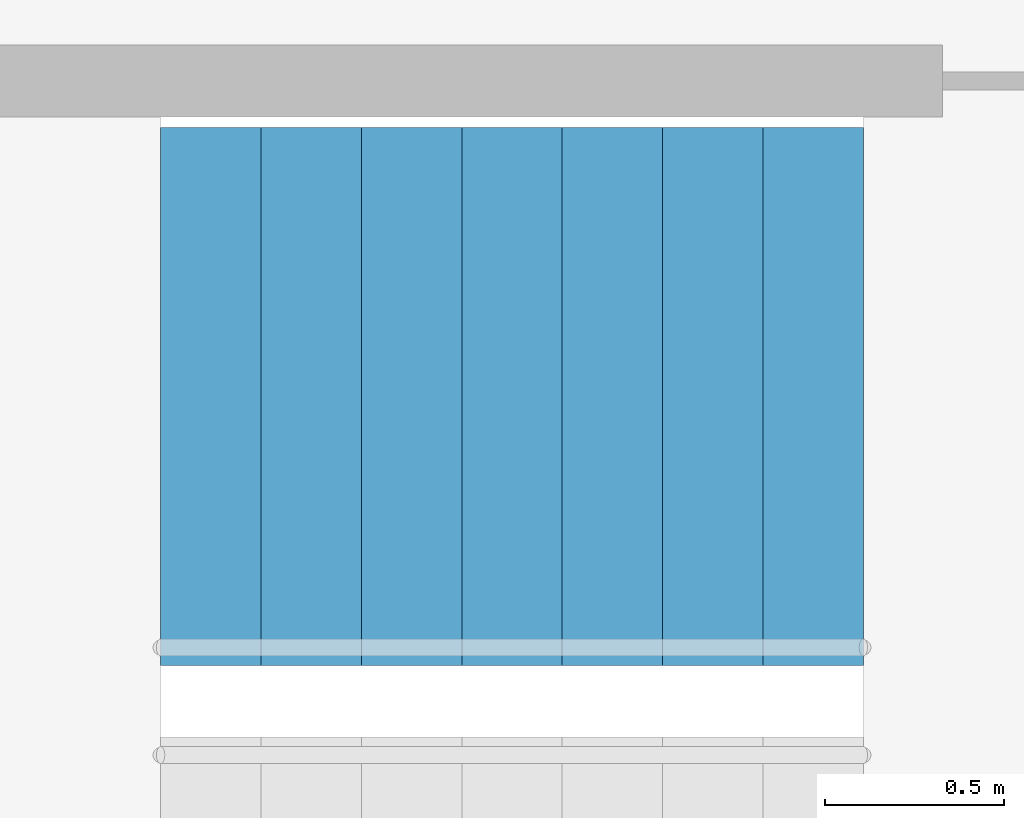
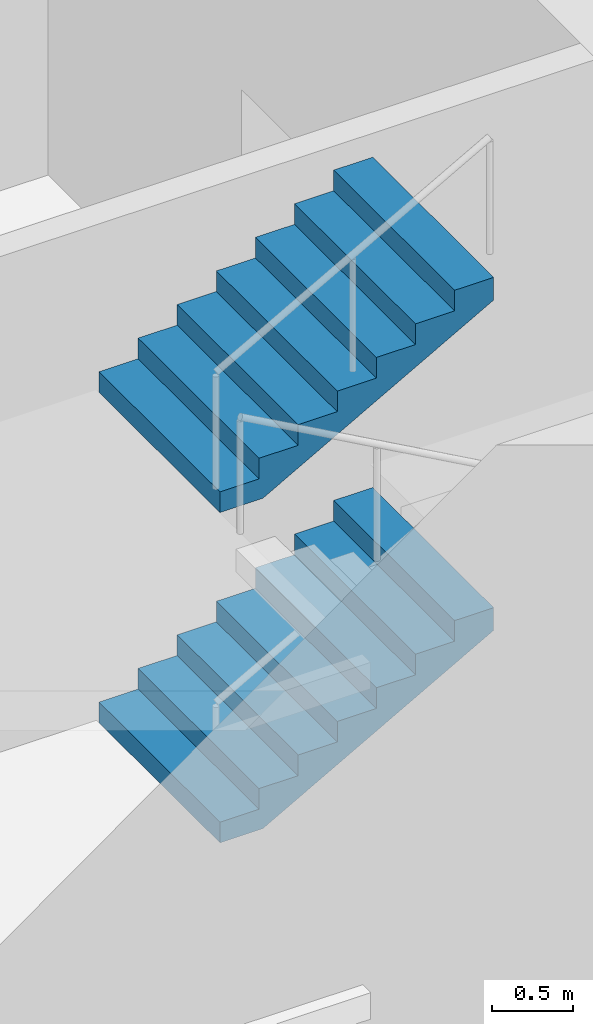
# One storey, part 22 of 25: 2 stair flights, 1 element without a shape of its own.
"""IFC4 building model written with IfcOpenShell, lengths in metres."""

from ifc_helpers import new_model, si_unit, direction, frame, origin, place, context, subcontext, project, spatial, triangles, material, type_object, element, aggregate, save


model = new_model("IFC4")

# Units and contexts
model_context = context("Model", 3, precision=1e-05, world=origin(), true_north=direction((0.0, 1.0)))
body_context = subcontext(model_context, "Body", "Model", "MODEL_VIEW")
ifc_project = project(units=[si_unit("LENGTHUNIT", "METRE"), si_unit("AREAUNIT", "SQUARE_METRE"), si_unit("VOLUMEUNIT", "CUBIC_METRE"), si_unit("PLANEANGLEUNIT", "RADIAN"), si_unit("MASSUNIT", "GRAM", prefix="KILO")], contexts=[model_context])

# Site, building, storey
site_placement = place(None, origin())
site = spatial("IfcSite", under=ifc_project, at=site_placement, CompositionType="ELEMENT")
building_placement = place(site_placement, origin())
building = spatial("IfcBuilding", under=site, at=building_placement, Name="Lantaw Convention Tower", CompositionType="ELEMENT")
storey_placement = place(building_placement, frame((0.0, 0.0, 32.0)))
storey = spatial("IfcBuildingStorey", under=building, at=storey_placement, Name="L05", CompositionType="ELEMENT", Elevation=32.0)

# Stair, stair flights
ifc_material = material(Name="Concrete C35/45", Category="concrete")
stair_type = type_object("IfcStairType", Name="Exit stair 1500 riser 156.25 in 4 flights", PredefinedType="HALF_TURN_STAIR", material=ifc_material)
stair_placement = place(storey_placement, origin())
stair = element("IfcStair", 1, at=stair_placement, inside=storey, type_object=stair_type, Name="Exit stair S2 L05", PredefinedType="HALF_TURN_STAIR")
stair_flight_type = type_object("IfcStairFlightType", Name="Stair flight 1500 riser 156.25", PredefinedType="STRAIGHT", material=ifc_material)
stair_flight_1_placement = place(storey_placement, frame((8.6201171875, -4.280029296875, 1.25), z_axis=(0.0, 0.0, 1.0), x_axis=(1.0, 0.0, 0.0)))
stair_flight_1 = element("IfcStairFlight", 2, at=stair_flight_1_placement, type_object=stair_flight_type, Name="S2 flight 2", NumberOfRisers=8, NumberOfTreads=7, PredefinedType="STRAIGHT", RiserHeight=0.15625, TreadLength=0.28, context=body_context, shape_type="Tessellation", body=[
    triangles([(0.0, 0.75, 0.0), (0.0, 0.75, 0.15625), (0.28, 0.75, 0.0), (0.28, 0.75, 0.15625), (0.28, 0.75, 0.3125), (0.3076200632058044, 0.75, 0.0), (0.3076200632058044, 0.75, 0.3125), (0.56, 0.75, 0.14083701830033238), (0.56, 0.75, 0.3125), (0.56, 0.75, 0.46875), (0.8400000000000001, 0.75, 0.29708701830033235), (0.8400000000000001, 0.75, 0.46875), (0.8400000000000001, 0.75, 0.625), (1.12, 0.75, 0.45333701830033235), (1.12, 0.75, 0.625), (1.12, 0.75, 0.78125), (1.4000000000000001, 0.75, 0.6095870183003324), (1.4000000000000001, 0.75, 0.78125), (1.4000000000000001, 0.75, 0.9375), (1.6800000000000002, 0.75, 0.7658370183003324), (1.6800000000000002, 0.75, 0.9375), (1.6800000000000002, 0.75, 1.09375), (1.9600000000000002, 0.75, 0.9220870183003324), (1.9600000000000002, 0.75, 1.09375), (0.0, -0.75, 0.0), (0.0, -0.75, 0.15625), (0.28, -0.75, 0.0), (0.28, -0.75, 0.15625), (0.28, -0.75, 0.3125), (0.3076200632058044, -0.75, 0.0), (0.3076200632058044, -0.75, 0.3125), (0.56, -0.75, 0.14083701830033238), (0.56, -0.75, 0.3125), (0.56, -0.75, 0.46875), (0.8400000000000001, -0.75, 0.29708701830033235), (0.8400000000000001, -0.75, 0.46875), (0.8400000000000001, -0.75, 0.625), (1.12, -0.75, 0.45333701830033235), (1.12, -0.75, 0.625), (1.12, -0.75, 0.78125), (1.4000000000000001, -0.75, 0.6095870183003324), (1.4000000000000001, -0.75, 0.78125), (1.4000000000000001, -0.75, 0.9375), (1.6800000000000002, -0.75, 0.7658370183003324), (1.6800000000000002, -0.75, 0.9375), (1.6800000000000002, -0.75, 1.09375), (1.9600000000000002, -0.75, 0.9220870183003324), (1.9600000000000002, -0.75, 1.09375), (0.0, 0.15000000000000002, 0.15625), (0.0, 0.15000000000000002, 0.0), (0.0, 0.0, 0.15625), (0.0, 0.0, 0.0), (0.0, -0.15000000000000002, 0.15625), (0.0, -0.15000000000000002, 0.0), (0.28, 0.15000000000000002, 0.3125), (0.28, 0.15000000000000002, 0.15625), (0.28, 0.0, 0.3125), (0.28, 0.0, 0.15625), (0.28, -0.15000000000000002, 0.3125), (0.28, -0.15000000000000002, 0.15625), (0.56, 0.15000000000000002, 0.46875), (0.56, 0.15000000000000002, 0.3125), (0.56, 0.0, 0.46875), (0.56, 0.0, 0.3125), (0.56, -0.15000000000000002, 0.46875), (0.56, -0.15000000000000002, 0.3125), (0.8400000000000001, 0.15000000000000002, 0.625), (0.8400000000000001, 0.15000000000000002, 0.46875), (0.8400000000000001, 0.0, 0.625), (0.8400000000000001, 0.0, 0.46875), (0.8400000000000001, -0.15000000000000002, 0.625), (0.8400000000000001, -0.15000000000000002, 0.46875), (1.12, 0.15000000000000002, 0.78125), (1.12, 0.15000000000000002, 0.625), (1.12, 0.0, 0.78125), (1.12, 0.0, 0.625), (1.12, -0.15000000000000002, 0.78125), (1.12, -0.15000000000000002, 0.625), (1.4000000000000001, 0.15000000000000002, 0.9375), (1.4000000000000001, 0.15000000000000002, 0.78125), (1.4000000000000001, 0.0, 0.9375), (1.4000000000000001, 0.0, 0.78125), (1.4000000000000001, -0.15000000000000002, 0.9375), (1.4000000000000001, -0.15000000000000002, 0.78125), (1.6800000000000002, 0.15000000000000002, 1.09375), (1.6800000000000002, 0.15000000000000002, 0.9375), (1.6800000000000002, 0.0, 1.09375), (1.6800000000000002, 0.0, 0.9375), (1.6800000000000002, -0.15000000000000002, 1.09375), (1.6800000000000002, -0.15000000000000002, 0.9375), (0.3076200632058044, 0.15000000000000002, 0.3125), (0.3076200632058044, 0.0, 0.3125), (0.3076200632058044, -0.15000000000000002, 0.3125), (1.9600000000000002, 0.15000000000000002, 1.09375), (1.9600000000000002, 0.0, 1.09375), (1.9600000000000002, -0.15000000000000002, 1.09375), (1.9600000000000002, 0.15000000000000002, 0.9220870183003324), (1.9600000000000002, 0.0, 0.9220870183003324), (1.9600000000000002, -0.15000000000000002, 0.9220870183003324), (1.6800000000000002, 0.15000000000000002, 0.7658370183003324), (1.6800000000000002, 0.0, 0.7658370183003324), (1.6800000000000002, -0.15000000000000002, 0.7658370183003324), (1.4000000000000001, 0.15000000000000002, 0.6095870183003324), (1.4000000000000001, 0.0, 0.6095870183003324), (1.4000000000000001, -0.15000000000000002, 0.6095870183003324), (1.12, 0.15000000000000002, 0.45333701830033235), (1.12, 0.0, 0.45333701830033235), (1.12, -0.15000000000000002, 0.45333701830033235), (0.8400000000000001, 0.15000000000000002, 0.29708701830033235), (0.8400000000000001, 0.0, 0.29708701830033235), (0.8400000000000001, -0.15000000000000002, 0.29708701830033235), (0.56, 0.15000000000000002, 0.14083701830033238), (0.56, 0.0, 0.14083701830033238), (0.56, -0.15000000000000002, 0.14083701830033238), (0.3076200632058044, 0.15000000000000002, 0.0), (0.3076200632058044, 0.0, 0.0), (0.3076200632058044, -0.15000000000000002, 0.0), (0.28, 0.15000000000000002, 0.0), (0.28, 0.0, 0.0), (0.28, -0.15000000000000002, 0.0)], [[1, 4, 3], [1, 2, 4], [3, 4, 6], [4, 7, 6], [4, 5, 7], [6, 9, 8], [6, 7, 9], [8, 9, 11], [9, 12, 11], [9, 10, 12], [11, 12, 14], [12, 15, 14], [12, 13, 15], [14, 15, 17], [15, 18, 17], [15, 16, 18], [17, 18, 20], [18, 21, 20], [18, 19, 21], [20, 21, 23], [21, 24, 23], [21, 22, 24], [25, 27, 28], [25, 28, 26], [27, 30, 28], [28, 30, 31], [28, 31, 29], [30, 32, 33], [30, 33, 31], [32, 35, 33], [33, 35, 36], [33, 36, 34], [35, 38, 36], [36, 38, 39], [36, 39, 37], [38, 41, 39], [39, 41, 42], [39, 42, 40], [41, 44, 42], [42, 44, 45], [42, 45, 43], [44, 47, 45], [45, 47, 48], [45, 48, 46], [1, 49, 2], [1, 50, 49], [50, 51, 49], [50, 52, 51], [52, 53, 51], [52, 54, 53], [54, 26, 53], [54, 25, 26], [4, 55, 5], [4, 56, 55], [56, 57, 55], [56, 58, 57], [58, 59, 57], [58, 60, 59], [60, 29, 59], [60, 28, 29], [9, 61, 10], [9, 62, 61], [62, 63, 61], [62, 64, 63], [64, 65, 63], [64, 66, 65], [66, 34, 65], [66, 33, 34], [12, 67, 13], [12, 68, 67], [68, 69, 67], [68, 70, 69], [70, 71, 69], [70, 72, 71], [72, 37, 71], [72, 36, 37], [15, 73, 16], [15, 74, 73], [74, 75, 73], [74, 76, 75], [76, 77, 75], [76, 78, 77], [78, 40, 77], [78, 39, 40], [18, 79, 19], [18, 80, 79], [80, 81, 79], [80, 82, 81], [82, 83, 81], [82, 84, 83], [84, 43, 83], [84, 42, 43], [21, 85, 22], [21, 86, 85], [86, 87, 85], [86, 88, 87], [88, 89, 87], [88, 90, 89], [90, 46, 89], [90, 45, 46], [2, 56, 4], [2, 49, 56], [49, 58, 56], [49, 51, 58], [51, 60, 58], [51, 53, 60], [53, 28, 60], [53, 26, 28], [5, 91, 7], [5, 55, 91], [55, 92, 91], [55, 57, 92], [57, 93, 92], [57, 59, 93], [59, 31, 93], [59, 29, 31], [7, 62, 9], [7, 91, 62], [91, 64, 62], [91, 92, 64], [92, 66, 64], [92, 93, 66], [93, 33, 66], [93, 31, 33], [10, 68, 12], [10, 61, 68], [61, 70, 68], [61, 63, 70], [63, 72, 70], [63, 65, 72], [65, 36, 72], [65, 34, 36], [13, 74, 15], [13, 67, 74], [67, 76, 74], [67, 69, 76], [69, 78, 76], [69, 71, 78], [71, 39, 78], [71, 37, 39], [16, 80, 18], [16, 73, 80], [73, 82, 80], [73, 75, 82], [75, 84, 82], [75, 77, 84], [77, 42, 84], [77, 40, 42], [19, 86, 21], [19, 79, 86], [79, 88, 86], [79, 81, 88], [81, 90, 88], [81, 83, 90], [83, 45, 90], [83, 43, 45], [22, 94, 24], [22, 85, 94], [85, 95, 94], [85, 87, 95], [87, 96, 95], [87, 89, 96], [89, 48, 96], [89, 46, 48], [24, 97, 23], [24, 94, 97], [94, 98, 97], [94, 95, 98], [95, 99, 98], [95, 96, 99], [96, 47, 99], [96, 48, 47], [23, 100, 20], [23, 97, 100], [97, 101, 100], [97, 98, 101], [98, 102, 101], [98, 99, 102], [99, 44, 102], [99, 47, 44], [20, 103, 17], [20, 100, 103], [100, 104, 103], [100, 101, 104], [101, 105, 104], [101, 102, 105], [102, 41, 105], [102, 44, 41], [17, 106, 14], [17, 103, 106], [103, 107, 106], [103, 104, 107], [104, 108, 107], [104, 105, 108], [105, 38, 108], [105, 41, 38], [14, 109, 11], [14, 106, 109], [106, 110, 109], [106, 107, 110], [107, 111, 110], [107, 108, 111], [108, 35, 111], [108, 38, 35], [11, 112, 8], [11, 109, 112], [109, 113, 112], [109, 110, 113], [110, 114, 113], [110, 111, 114], [111, 32, 114], [111, 35, 32], [8, 115, 6], [8, 112, 115], [112, 116, 115], [112, 113, 116], [113, 117, 116], [113, 114, 117], [114, 30, 117], [114, 32, 30], [6, 118, 3], [6, 115, 118], [115, 119, 118], [115, 116, 119], [116, 120, 119], [116, 117, 120], [117, 27, 120], [117, 30, 27], [3, 50, 1], [3, 118, 50], [118, 52, 50], [118, 119, 52], [119, 54, 52], [119, 120, 54], [120, 25, 54], [120, 27, 25]], closed=True),
])
stair_flight_2_placement = place(storey_placement, frame((8.6201171875, -4.280029296875, 3.75), z_axis=(0.0, 0.0, 1.0), x_axis=(1.0, 0.0, 0.0)))
stair_flight_2 = element("IfcStairFlight", 3, at=stair_flight_2_placement, type_object=stair_flight_type, Name="S2 flight 4", NumberOfRisers=8, NumberOfTreads=7, PredefinedType="STRAIGHT", RiserHeight=0.15625, TreadLength=0.28, context=body_context, shape_type="Tessellation", body=[
    triangles([(0.0, 0.75, 0.0), (0.0, 0.75, 0.15625), (0.28, 0.75, 0.0), (0.28, 0.75, 0.15625), (0.28, 0.75, 0.3125), (0.3076200632058044, 0.75, 0.0), (0.3076200632058044, 0.75, 0.3125), (0.56, 0.75, 0.14083701830033238), (0.56, 0.75, 0.3125), (0.56, 0.75, 0.46875), (0.8400000000000001, 0.75, 0.29708701830033235), (0.8400000000000001, 0.75, 0.46875), (0.8400000000000001, 0.75, 0.625), (1.12, 0.75, 0.45333701830033235), (1.12, 0.75, 0.625), (1.12, 0.75, 0.78125), (1.4000000000000001, 0.75, 0.6095870183003324), (1.4000000000000001, 0.75, 0.78125), (1.4000000000000001, 0.75, 0.9375), (1.6800000000000002, 0.75, 0.7658370183003324), (1.6800000000000002, 0.75, 0.9375), (1.6800000000000002, 0.75, 1.09375), (1.9600000000000002, 0.75, 0.9220870183003324), (1.9600000000000002, 0.75, 1.09375), (0.0, -0.75, 0.0), (0.0, -0.75, 0.15625), (0.28, -0.75, 0.0), (0.28, -0.75, 0.15625), (0.28, -0.75, 0.3125), (0.3076200632058044, -0.75, 0.0), (0.3076200632058044, -0.75, 0.3125), (0.56, -0.75, 0.14083701830033238), (0.56, -0.75, 0.3125), (0.56, -0.75, 0.46875), (0.8400000000000001, -0.75, 0.29708701830033235), (0.8400000000000001, -0.75, 0.46875), (0.8400000000000001, -0.75, 0.625), (1.12, -0.75, 0.45333701830033235), (1.12, -0.75, 0.625), (1.12, -0.75, 0.78125), (1.4000000000000001, -0.75, 0.6095870183003324), (1.4000000000000001, -0.75, 0.78125), (1.4000000000000001, -0.75, 0.9375), (1.6800000000000002, -0.75, 0.7658370183003324), (1.6800000000000002, -0.75, 0.9375), (1.6800000000000002, -0.75, 1.09375), (1.9600000000000002, -0.75, 0.9220870183003324), (1.9600000000000002, -0.75, 1.09375), (0.0, 0.15000000000000002, 0.15625), (0.0, 0.15000000000000002, 0.0), (0.0, 0.0, 0.15625), (0.0, 0.0, 0.0), (0.0, -0.15000000000000002, 0.15625), (0.0, -0.15000000000000002, 0.0), (0.28, 0.15000000000000002, 0.3125), (0.28, 0.15000000000000002, 0.15625), (0.28, 0.0, 0.3125), (0.28, 0.0, 0.15625), (0.28, -0.15000000000000002, 0.3125), (0.28, -0.15000000000000002, 0.15625), (0.56, 0.15000000000000002, 0.46875), (0.56, 0.15000000000000002, 0.3125), (0.56, 0.0, 0.46875), (0.56, 0.0, 0.3125), (0.56, -0.15000000000000002, 0.46875), (0.56, -0.15000000000000002, 0.3125), (0.8400000000000001, 0.15000000000000002, 0.625), (0.8400000000000001, 0.15000000000000002, 0.46875), (0.8400000000000001, 0.0, 0.625), (0.8400000000000001, 0.0, 0.46875), (0.8400000000000001, -0.15000000000000002, 0.625), (0.8400000000000001, -0.15000000000000002, 0.46875), (1.12, 0.15000000000000002, 0.78125), (1.12, 0.15000000000000002, 0.625), (1.12, 0.0, 0.78125), (1.12, 0.0, 0.625), (1.12, -0.15000000000000002, 0.78125), (1.12, -0.15000000000000002, 0.625), (1.4000000000000001, 0.15000000000000002, 0.9375), (1.4000000000000001, 0.15000000000000002, 0.78125), (1.4000000000000001, 0.0, 0.9375), (1.4000000000000001, 0.0, 0.78125), (1.4000000000000001, -0.15000000000000002, 0.9375), (1.4000000000000001, -0.15000000000000002, 0.78125), (1.6800000000000002, 0.15000000000000002, 1.09375), (1.6800000000000002, 0.15000000000000002, 0.9375), (1.6800000000000002, 0.0, 1.09375), (1.6800000000000002, 0.0, 0.9375), (1.6800000000000002, -0.15000000000000002, 1.09375), (1.6800000000000002, -0.15000000000000002, 0.9375), (0.3076200632058044, 0.15000000000000002, 0.3125), (0.3076200632058044, 0.0, 0.3125), (0.3076200632058044, -0.15000000000000002, 0.3125), (1.9600000000000002, 0.15000000000000002, 1.09375), (1.9600000000000002, 0.0, 1.09375), (1.9600000000000002, -0.15000000000000002, 1.09375), (1.9600000000000002, 0.15000000000000002, 0.9220870183003324), (1.9600000000000002, 0.0, 0.9220870183003324), (1.9600000000000002, -0.15000000000000002, 0.9220870183003324), (1.6800000000000002, 0.15000000000000002, 0.7658370183003324), (1.6800000000000002, 0.0, 0.7658370183003324), (1.6800000000000002, -0.15000000000000002, 0.7658370183003324), (1.4000000000000001, 0.15000000000000002, 0.6095870183003324), (1.4000000000000001, 0.0, 0.6095870183003324), (1.4000000000000001, -0.15000000000000002, 0.6095870183003324), (1.12, 0.15000000000000002, 0.45333701830033235), (1.12, 0.0, 0.45333701830033235), (1.12, -0.15000000000000002, 0.45333701830033235), (0.8400000000000001, 0.15000000000000002, 0.29708701830033235), (0.8400000000000001, 0.0, 0.29708701830033235), (0.8400000000000001, -0.15000000000000002, 0.29708701830033235), (0.56, 0.15000000000000002, 0.14083701830033238), (0.56, 0.0, 0.14083701830033238), (0.56, -0.15000000000000002, 0.14083701830033238), (0.3076200632058044, 0.15000000000000002, 0.0), (0.3076200632058044, 0.0, 0.0), (0.3076200632058044, -0.15000000000000002, 0.0), (0.28, 0.15000000000000002, 0.0), (0.28, 0.0, 0.0), (0.28, -0.15000000000000002, 0.0)], [[1, 4, 3], [1, 2, 4], [3, 4, 6], [4, 7, 6], [4, 5, 7], [6, 9, 8], [6, 7, 9], [8, 9, 11], [9, 12, 11], [9, 10, 12], [11, 12, 14], [12, 15, 14], [12, 13, 15], [14, 15, 17], [15, 18, 17], [15, 16, 18], [17, 18, 20], [18, 21, 20], [18, 19, 21], [20, 21, 23], [21, 24, 23], [21, 22, 24], [25, 27, 28], [25, 28, 26], [27, 30, 28], [28, 30, 31], [28, 31, 29], [30, 32, 33], [30, 33, 31], [32, 35, 33], [33, 35, 36], [33, 36, 34], [35, 38, 36], [36, 38, 39], [36, 39, 37], [38, 41, 39], [39, 41, 42], [39, 42, 40], [41, 44, 42], [42, 44, 45], [42, 45, 43], [44, 47, 45], [45, 47, 48], [45, 48, 46], [1, 49, 2], [1, 50, 49], [50, 51, 49], [50, 52, 51], [52, 53, 51], [52, 54, 53], [54, 26, 53], [54, 25, 26], [4, 55, 5], [4, 56, 55], [56, 57, 55], [56, 58, 57], [58, 59, 57], [58, 60, 59], [60, 29, 59], [60, 28, 29], [9, 61, 10], [9, 62, 61], [62, 63, 61], [62, 64, 63], [64, 65, 63], [64, 66, 65], [66, 34, 65], [66, 33, 34], [12, 67, 13], [12, 68, 67], [68, 69, 67], [68, 70, 69], [70, 71, 69], [70, 72, 71], [72, 37, 71], [72, 36, 37], [15, 73, 16], [15, 74, 73], [74, 75, 73], [74, 76, 75], [76, 77, 75], [76, 78, 77], [78, 40, 77], [78, 39, 40], [18, 79, 19], [18, 80, 79], [80, 81, 79], [80, 82, 81], [82, 83, 81], [82, 84, 83], [84, 43, 83], [84, 42, 43], [21, 85, 22], [21, 86, 85], [86, 87, 85], [86, 88, 87], [88, 89, 87], [88, 90, 89], [90, 46, 89], [90, 45, 46], [2, 56, 4], [2, 49, 56], [49, 58, 56], [49, 51, 58], [51, 60, 58], [51, 53, 60], [53, 28, 60], [53, 26, 28], [5, 91, 7], [5, 55, 91], [55, 92, 91], [55, 57, 92], [57, 93, 92], [57, 59, 93], [59, 31, 93], [59, 29, 31], [7, 62, 9], [7, 91, 62], [91, 64, 62], [91, 92, 64], [92, 66, 64], [92, 93, 66], [93, 33, 66], [93, 31, 33], [10, 68, 12], [10, 61, 68], [61, 70, 68], [61, 63, 70], [63, 72, 70], [63, 65, 72], [65, 36, 72], [65, 34, 36], [13, 74, 15], [13, 67, 74], [67, 76, 74], [67, 69, 76], [69, 78, 76], [69, 71, 78], [71, 39, 78], [71, 37, 39], [16, 80, 18], [16, 73, 80], [73, 82, 80], [73, 75, 82], [75, 84, 82], [75, 77, 84], [77, 42, 84], [77, 40, 42], [19, 86, 21], [19, 79, 86], [79, 88, 86], [79, 81, 88], [81, 90, 88], [81, 83, 90], [83, 45, 90], [83, 43, 45], [22, 94, 24], [22, 85, 94], [85, 95, 94], [85, 87, 95], [87, 96, 95], [87, 89, 96], [89, 48, 96], [89, 46, 48], [24, 97, 23], [24, 94, 97], [94, 98, 97], [94, 95, 98], [95, 99, 98], [95, 96, 99], [96, 47, 99], [96, 48, 47], [23, 100, 20], [23, 97, 100], [97, 101, 100], [97, 98, 101], [98, 102, 101], [98, 99, 102], [99, 44, 102], [99, 47, 44], [20, 103, 17], [20, 100, 103], [100, 104, 103], [100, 101, 104], [101, 105, 104], [101, 102, 105], [102, 41, 105], [102, 44, 41], [17, 106, 14], [17, 103, 106], [103, 107, 106], [103, 104, 107], [104, 108, 107], [104, 105, 108], [105, 38, 108], [105, 41, 38], [14, 109, 11], [14, 106, 109], [106, 110, 109], [106, 107, 110], [107, 111, 110], [107, 108, 111], [108, 35, 111], [108, 38, 35], [11, 112, 8], [11, 109, 112], [109, 113, 112], [109, 110, 113], [110, 114, 113], [110, 111, 114], [111, 32, 114], [111, 35, 32], [8, 115, 6], [8, 112, 115], [112, 116, 115], [112, 113, 116], [113, 117, 116], [113, 114, 117], [114, 30, 117], [114, 32, 30], [6, 118, 3], [6, 115, 118], [115, 119, 118], [115, 116, 119], [116, 120, 119], [116, 117, 120], [117, 27, 120], [117, 30, 27], [3, 50, 1], [3, 118, 50], [118, 52, 50], [118, 119, 52], [119, 54, 52], [119, 120, 54], [120, 25, 54], [120, 27, 25]], closed=True),
])
aggregate(stair, [stair_flight_1, stair_flight_2])

save(model, "model.ifc")
